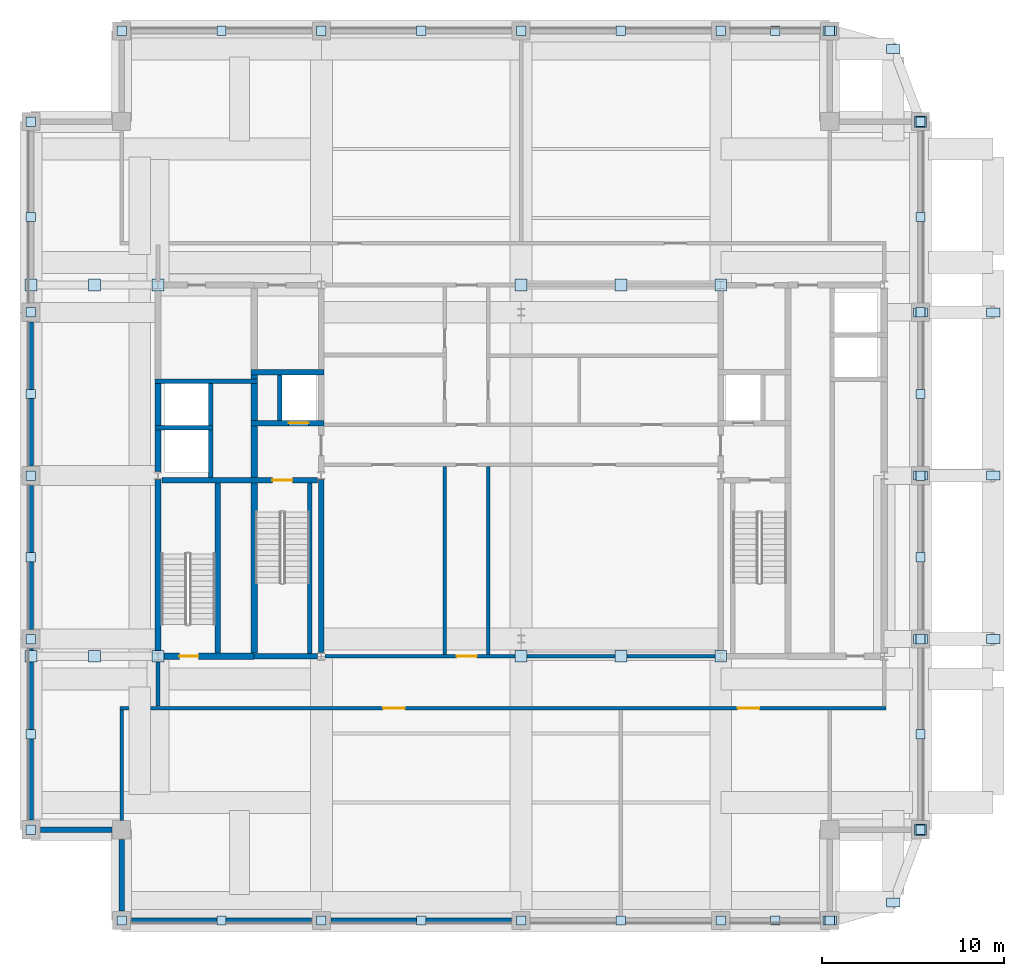
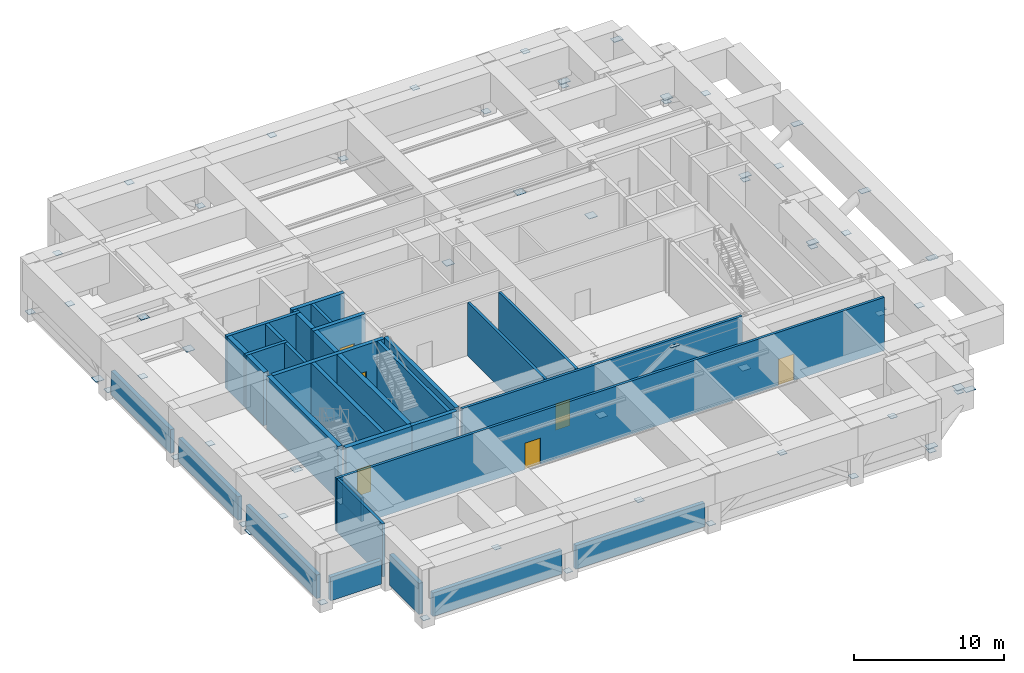
# One storey, part 3 of 9: 60 plates, 33 walls, 6 doors, 6 openings.
"""IFC4 building model written with IfcOpenShell, lengths in metres."""

from ifc_helpers import new_model, si_unit, direction, frame, frame_2d, origin, origin_2d, place, context, subcontext, project, spatial, rectangle, extrude, material, layer, layer_set, type_object, element, fill, save


model = new_model("IFC4")

# Units and contexts
model_context = context("Model", 3, precision=1e-05, world=origin(), true_north=direction((0.0, 1.0)))
body_context = subcontext(model_context, "Body", "Model", "MODEL_VIEW")
ifc_project = project(units=[si_unit("LENGTHUNIT", "METRE"), si_unit("AREAUNIT", "SQUARE_METRE"), si_unit("VOLUMEUNIT", "CUBIC_METRE"), si_unit("PLANEANGLEUNIT", "RADIAN"), si_unit("MASSUNIT", "GRAM", prefix="KILO")], contexts=[model_context])

# Site, building, storey
site_placement = place(None, origin())
site = spatial("IfcSite", under=ifc_project, at=site_placement, CompositionType="ELEMENT")
building_placement = place(site_placement, origin())
building = spatial("IfcBuilding", under=site, at=building_placement, Name="Zulmaris Gate Convention Tower", CompositionType="ELEMENT")
storey_placement = place(building_placement, frame((0.0, 0.0, 222.06005859375)))
storey = spatial("IfcBuildingStorey", under=building, at=storey_placement, Name="L58", CompositionType="ELEMENT", Elevation=222.06005859375)

# Plates
ifc_material_1 = material(Name="Steel S460", Category="steel")
ifc_layer_1 = layer(ifc_material_1, 0.030029296875, Name="Steel S460")
ifc_layer_set_1 = layer_set([ifc_layer_1], Name="Steel S460")
plate_type_1 = type_object("IfcPlateType", Name="NP-CAP-520", PredefinedType="USERDEFINED", material=ifc_layer_set_1)
for number, where, z_axis, x_axis, name in (
    (1, (-22.0, -24.5, -0.01513671875), (0.0, 0.0, 1.0), (1.0, 0.0, 0.0), "L58 Steel Node Plate BELT-L58-01-1-FP"),
    (2, (-16.5, -24.5, 3.81982421875), (0.0, 0.0, 1.0), (1.0, 0.0, 0.0), "L58 Steel Node Plate BELT-L58-01-1-FPB"),
    (3, (-11.0, -24.5, -0.01513671875), (0.0, 0.0, 1.0), (1.0, 0.0, 0.0), "L58 Steel Node Plate BELT-L58-01-2-FPB"),
    (4, (-5.5, -24.5, 3.81982421875), (0.0, 0.0, 1.0), (1.0, 0.0, 0.0), "L58 Steel Node Plate BELT-L58-02-1-FPB"),
    (5, (0.0, -24.5, -0.01513671875), (0.0, 0.0, 1.0), (1.0, 0.0, 0.0), "L58 Steel Node Plate BELT-L58-02-2-FPB"),
    (6, (5.5, -24.5, 3.81982421875), (0.0, 0.0, 1.0), (1.0, 0.0, 0.0), "L58 Steel Node Plate BELT-L58-03-1-FPB"),
    (7, (11.0, -24.5, -0.01513671875), (0.0, 0.0, 1.0), (1.0, 0.0, 0.0), "L58 Steel Node Plate BELT-L58-03-2-FPB"),
    (8, (14.0, -24.5, 3.81982421875), (0.0, 0.0, 1.0), (1.0, 0.0, 0.0), "L58 Steel Node Plate BELT-L58-04-1-FPB"),
    (9, (17.0, -24.5, -0.01513671875), (0.0, 0.0, 1.0), (1.0, 0.0, 0.0), "L58 Steel Node Plate BELT-L58-04-2-FPB"),
    (10, (-22.0, 24.5, -0.01513671875), (0.0, 0.0, 1.0), (1.0, 0.0, 0.0), "L58 Steel Node Plate BELT-L58-05-1-FP"),
    (11, (-16.5, 24.5, 3.81982421875), (0.0, 0.0, 1.0), (1.0, 0.0, 0.0), "L58 Steel Node Plate BELT-L58-05-1-FPB"),
    (12, (-11.0, 24.5, -0.01513671875), (0.0, 0.0, 1.0), (1.0, 0.0, 0.0), "L58 Steel Node Plate BELT-L58-05-2-FPB"),
    (13, (-5.5, 24.5, 3.81982421875), (0.0, 0.0, 1.0), (1.0, 0.0, 0.0), "L58 Steel Node Plate BELT-L58-06-1-FPB"),
    (14, (0.0, 24.5, -0.01513671875), (0.0, 0.0, 1.0), (1.0, 0.0, 0.0), "L58 Steel Node Plate BELT-L58-06-2-FPB"),
    (15, (5.5, 24.5, 3.81982421875), (0.0, 0.0, 1.0), (1.0, 0.0, 0.0), "L58 Steel Node Plate BELT-L58-07-1-FPB"),
    (16, (11.0, 24.5, -0.01513671875), (0.0, 0.0, 1.0), (1.0, 0.0, 0.0), "L58 Steel Node Plate BELT-L58-07-2-FPB"),
    (17, (14.0, 24.5, 3.81982421875), (0.0, 0.0, 1.0), (1.0, 0.0, 0.0), "L58 Steel Node Plate BELT-L58-08-1-FPB"),
    (18, (17.0, 24.5, -0.01513671875), (0.0, 0.0, 1.0), (1.0, 0.0, 0.0), "L58 Steel Node Plate BELT-L58-08-2-FPB"),
    (19, (-27.0, -19.5, -0.01513671875), (0.0, 0.0, 1.0), (1.0, 0.0, 0.0), "L58 Steel Node Plate BELT-L58-09-1-FP"),
    (20, (-27.0, -14.25, 3.81982421875), (0.0, 0.0, 1.0), (1.0, 0.0, 0.0), "L58 Steel Node Plate BELT-L58-09-1-FPB"),
    (21, (-27.0, -9.0, -0.01513671875), (0.0, 0.0, 1.0), (1.0, 0.0, 0.0), "L58 Steel Node Plate BELT-L58-09-2-FPB"),
    (22, (-27.0, -4.5, 3.81982421875), (0.0, 0.0, 1.0), (1.0, 0.0, 0.0), "L58 Steel Node Plate BELT-L58-10-1-FPB"),
    (23, (-27.0, 0.0, -0.01513671875), (0.0, 0.0, 1.0), (1.0, 0.0, 0.0), "L58 Steel Node Plate BELT-L58-10-2-FPB"),
    (24, (-27.0, 4.5, 3.81982421875), (0.0, 0.0, 1.0), (1.0, 0.0, 0.0), "L58 Steel Node Plate BELT-L58-11-1-FPB"),
    (25, (-27.0, 9.0, -0.01513671875), (0.0, 0.0, 1.0), (1.0, 0.0, 0.0), "L58 Steel Node Plate BELT-L58-11-2-FPB"),
    (26, (-27.0, 14.25, 3.81982421875), (0.0, 0.0, 1.0), (1.0, 0.0, 0.0), "L58 Steel Node Plate BELT-L58-12-1-FPB"),
    (27, (-27.0, 19.5, -0.01513671875), (0.0, 0.0, 1.0), (1.0, 0.0, 0.0), "L58 Steel Node Plate BELT-L58-12-2-FPB"),
    (28, (22.0, -19.5, -0.01513671875), (0.0, 0.0, 1.0), (1.0, 0.0, 0.0), "L58 Steel Node Plate BELT-L58-13-1-FP"),
    (29, (22.0, -14.25, 3.81982421875), (0.0, 0.0, 1.0), (1.0, 0.0, 0.0), "L58 Steel Node Plate BELT-L58-13-1-FPB"),
    (30, (22.0, -9.0, -0.01513671875), (0.0, 0.0, 1.0), (1.0, 0.0, 0.0), "L58 Steel Node Plate BELT-L58-13-2-FPB"),
    (31, (22.0, -4.5, 3.81982421875), (0.0, 0.0, 1.0), (1.0, 0.0, 0.0), "L58 Steel Node Plate BELT-L58-14-1-FPB"),
    (32, (22.0, 0.0, -0.01513671875), (0.0, 0.0, 1.0), (1.0, 0.0, 0.0), "L58 Steel Node Plate BELT-L58-14-2-FPB"),
    (33, (22.0, 4.5, 3.81982421875), (0.0, 0.0, 1.0), (1.0, 0.0, 0.0), "L58 Steel Node Plate BELT-L58-15-1-FPB"),
    (34, (22.0, 9.0, -0.01513671875), (0.0, 0.0, 1.0), (1.0, 0.0, 0.0), "L58 Steel Node Plate BELT-L58-15-2-FPB"),
    (35, (22.0, 14.25, 3.81982421875), (0.0, 0.0, 1.0), (1.0, 0.0, 0.0), "L58 Steel Node Plate BELT-L58-16-1-FPB"),
    (36, (22.0, 19.5, -0.01513671875), (0.0, 0.0, 1.0), (1.0, 0.0, 0.0), "L58 Steel Node Plate BELT-L58-16-2-FPB"),
):
    element("IfcPlate", number, at=place(storey_placement, frame(where, z_axis=z_axis, x_axis=x_axis)), inside=storey, type_object=plate_type_1, Name=name, ObjectType="FLANGE PLATE", PredefinedType="USERDEFINED", context=body_context, shape_type="SweptSolid", body=[
        extrude(rectangle(XDim=0.52001953125, YDim=0.52001953125, at=origin_2d()), origin(), (0.0, 0.0, 1.0), 0.030029296875),
    ])
ifc_layer_2 = layer(ifc_material_1, 0.034912109375, Name="Steel S460")
ifc_layer_set_2 = layer_set([ifc_layer_2], Name="Steel S460")
plate_type_2 = type_object("IfcPlateType", Name="NP-GUS-650", PredefinedType="USERDEFINED", material=ifc_layer_set_2)
for number, where, z_axis, x_axis, name in (
    (37, (22.0, -19.5, 0.33251953125), (0.0, 0.0, 1.0), (1.0, 0.0, 0.0), "L58 Steel Node Plate RKR2-L58-EC--23.5-P0"),
    (38, (22.0, 19.5, 0.33251953125), (0.0, 0.0, 1.0), (1.0, 0.0, 0.0), "L58 Steel Node Plate RKR2-L58-EC-+23.5-P0"),
    (39, (-27.0, -9.949951171875, -0.017578125), (0.0, 0.0, 1.0), (1.0, 0.0, 0.0), "L58 Steel Node Plate OT-L58-DG--9.9--27-A-GP0"),
    (40, (-23.5, -9.949951171875, 3.8173828125), (0.0, 0.0, 1.0), (1.0, 0.0, 0.0), "L58 Steel Node Plate OT-L58-DG--9.9--27-A-GP1"),
    (41, (-20.0, -9.949951171875, -0.017578125), (0.0, 0.0, 1.0), (1.0, 0.0, 0.0), "L58 Steel Node Plate OT-L58-DG--9.9--27-B-GP1"),
    (42, (0.0, -9.949951171875, -0.017578125), (0.0, 0.0, 1.0), (1.0, 0.0, 0.0), "L58 Steel Node Plate OT-L58-DG--9.9-+0-A-GP0"),
    (43, (5.5, -9.949951171875, 3.8173828125), (0.0, 0.0, 1.0), (1.0, 0.0, 0.0), "L58 Steel Node Plate OT-L58-DG--9.9-+0-A-GP1"),
    (44, (11.0, -9.949951171875, -0.017578125), (0.0, 0.0, 1.0), (1.0, 0.0, 0.0), "L58 Steel Node Plate OT-L58-DG--9.9-+0-B-GP1"),
    (45, (-27.0, 10.5, -0.017578125), (0.0, 0.0, 1.0), (1.0, 0.0, 0.0), "L58 Steel Node Plate OT-L58-DG-+10.5--27-A-GP0"),
    (46, (-23.5, 10.5, 3.8173828125), (0.0, 0.0, 1.0), (1.0, 0.0, 0.0), "L58 Steel Node Plate OT-L58-DG-+10.5--27-A-GP1"),
    (47, (-20.0, 10.5, -0.017578125), (0.0, 0.0, 1.0), (1.0, 0.0, 0.0), "L58 Steel Node Plate OT-L58-DG-+10.5--27-B-GP1"),
    (48, (0.0, 10.5, -0.017578125), (0.0, 0.0, 1.0), (1.0, 0.0, 0.0), "L58 Steel Node Plate OT-L58-DG-+10.5-+0-A-GP0"),
    (49, (5.5, 10.5, 3.8173828125), (0.0, 0.0, 1.0), (1.0, 0.0, 0.0), "L58 Steel Node Plate OT-L58-DG-+10.5-+0-A-GP1"),
    (50, (11.0, 10.5, -0.017578125), (0.0, 0.0, 1.0), (1.0, 0.0, 0.0), "L58 Steel Node Plate OT-L58-DG-+10.5-+0-B-GP1"),
):
    element("IfcPlate", number, at=place(storey_placement, frame(where, z_axis=z_axis, x_axis=x_axis)), inside=storey, type_object=plate_type_2, Name=name, ObjectType="GUSSET PLATE", PredefinedType="USERDEFINED", context=body_context, shape_type="SweptSolid", body=[
        extrude(rectangle(XDim=0.64990234375, YDim=0.64990234375, at=origin_2d()), origin(), (0.0, 0.0, 1.0), 0.034912109375),
    ])
ifc_layer_3 = layer(ifc_material_1, 0.034912109375, Name="Steel S460")
ifc_layer_set_3 = layer_set([ifc_layer_3], Name="Steel S460")
plate_type_3 = type_object("IfcPlateType", Name="NP-GUS-750", PredefinedType="USERDEFINED", material=ifc_layer_set_3)
for number, where, z_axis, x_axis, name in (
    (51, (22.0, -9.0, 0.33251953125), (0.0, 0.0, 1.0), (1.0, 0.0, 0.0), "L58 Steel Node Plate RKR-L58-E--9.0-P0"),
    (52, (26.0, -9.0, 3.11767578125), (0.0, 0.0, 1.0), (1.0, 0.0, 0.0), "L58 Steel Node Plate RKR-L58-E--9.0-P1"),
    (53, (22.0, 0.0, 0.33251953125), (0.0, 0.0, 1.0), (1.0, 0.0, 0.0), "L58 Steel Node Plate RKR-L58-E-+0.0-P0"),
    (54, (26.0, 0.0, 3.11767578125), (0.0, 0.0, 1.0), (1.0, 0.0, 0.0), "L58 Steel Node Plate RKR-L58-E-+0.0-P1"),
    (55, (22.0, 9.0, 0.33251953125), (0.0, 0.0, 1.0), (1.0, 0.0, 0.0), "L58 Steel Node Plate RKR-L58-E-+9.0-P0"),
    (56, (26.0, 9.0, 3.11767578125), (0.0, 0.0, 1.0), (1.0, 0.0, 0.0), "L58 Steel Node Plate RKR-L58-E-+9.0-P1"),
    (57, (17.0, -24.5, 0.33251953125), (0.0, 0.0, 1.0), (1.0, 0.0, 0.0), "L58 Steel Node Plate RKR-L58-EC--23.5-P0"),
    (58, (20.5, -23.5, 3.11767578125), (0.0, 0.0, 1.0), (1.0, 0.0, 0.0), "L58 Steel Node Plate RKR-L58-EC--23.5-P1"),
    (59, (17.0, 24.5, 0.33251953125), (0.0, 0.0, 1.0), (1.0, 0.0, 0.0), "L58 Steel Node Plate RKR-L58-EC-+23.5-P0"),
    (60, (20.5, 23.5, 3.11767578125), (0.0, 0.0, 1.0), (1.0, 0.0, 0.0), "L58 Steel Node Plate RKR-L58-EC-+23.5-P1"),
):
    element("IfcPlate", number, at=place(storey_placement, frame(where, z_axis=z_axis, x_axis=x_axis)), inside=storey, type_object=plate_type_3, Name=name, ObjectType="GUSSET PLATE", PredefinedType="USERDEFINED", context=body_context, shape_type="SweptSolid", body=[
        extrude(rectangle(XDim=0.75, YDim=0.5, at=origin_2d()), origin(), (0.0, 0.0, 1.0), 0.034912109375),
    ])

# Walls
ifc_material_2 = material(Name="Concrete C50/60", Category="concrete")
ifc_layer_4 = layer(ifc_material_2, 0.25, Name="Concrete C50/60")
ifc_layer_set_4 = layer_set([ifc_layer_4], Name="Concrete C50/60")
wall_type_1 = type_object("IfcWallType", Name="CORE-250", PredefinedType="SOLIDWALL", material=ifc_layer_set_4)
wall_1_placement = place(storey_placement, frame((-20.175048828125, 2.64990234375, 0.0), z_axis=(0.0, 0.0, 1.0), x_axis=(1.0, 0.0, 0.0)))
element("IfcWall", 61, at=wall_1_placement, inside=storey, type_object=wall_type_1, Name="WL-L58-007", PredefinedType="SOLIDWALL", context=body_context, shape_type="SweptSolid", body=[
    extrude(rectangle(XDim=3.199951171875, YDim=0.25, at=frame_2d((1.60009765625, 0.0))), origin(), (0.0, 0.0, 1.0), 4.3349609375),
])
wall_2_placement = place(storey_placement, frame((-20.175048828125, 5.199951171875, 0.0), z_axis=(0.0, 0.0, 1.0), x_axis=(1.0, 0.0, 0.0)))
element("IfcWall", 62, at=wall_2_placement, inside=storey, type_object=wall_type_1, Name="WL-L58-010", PredefinedType="SOLIDWALL", context=body_context, shape_type="SweptSolid", body=[
    extrude(rectangle(XDim=5.650146484375, YDim=0.25, at=frame_2d((2.8251953125, 0.0))), origin(), (0.0, 0.0, 1.0), 4.3349609375),
])
wall_3_placement = place(storey_placement, frame((-17.10009765625, -0.097900390625, 0.0), z_axis=(0.0, 0.0, 1.0), x_axis=(0.0, 1.0, 0.0)))
element("IfcWall", 63, at=wall_3_placement, inside=storey, type_object=wall_type_1, Name="WL-L58-031", PredefinedType="SOLIDWALL", context=body_context, shape_type="SweptSolid", body=[
    extrude(rectangle(XDim=2.620849609375, YDim=0.25, at=frame_2d((1.310546875, 0.0))), origin(), (0.0, 0.0, 1.0), 4.3349609375),
])
wall_4_placement = place(storey_placement, frame((-17.10009765625, 2.777099609375, 0.0), z_axis=(0.0, 0.0, 1.0), x_axis=(0.0, 1.0, 0.0)))
element("IfcWall", 64, at=wall_4_placement, inside=storey, type_object=wall_type_1, Name="WL-L58-032", PredefinedType="SOLIDWALL", context=body_context, shape_type="SweptSolid", body=[
    extrude(rectangle(XDim=2.2958984375, YDim=0.25, at=frame_2d((1.14794921875, 0.0))), origin(), (0.0, 0.0, 1.0), 4.3349609375),
])
wall_5_placement = place(storey_placement, frame((-13.300048828125, 3.052001953125, 0.0), z_axis=(0.0, 0.0, 1.0), x_axis=(0.0, 1.0, 0.0)))
element("IfcWall", 65, at=wall_5_placement, inside=storey, type_object=wall_type_1, Name="WL-L58-039", PredefinedType="SOLIDWALL", context=body_context, shape_type="SweptSolid", body=[
    extrude(rectangle(XDim=2.49609375, YDim=0.25, at=frame_2d((1.248046875, 0.0))), origin(), (0.0, 0.0, 1.0), 4.3349609375),
])
wall_6_placement = place(storey_placement, frame((-11.64990234375, -9.798095703125, 0.0), z_axis=(0.0, 0.0, 1.0), x_axis=(0.0, 1.0, 0.0)))
element("IfcWall", 66, at=wall_6_placement, inside=storey, type_object=wall_type_1, Name="WL-L58-040", PredefinedType="SOLIDWALL", context=body_context, shape_type="SweptSolid", body=[
    extrude(rectangle(XDim=9.39599609375, YDim=0.25, at=frame_2d((4.697998046875, 0.0))), origin(), (0.0, 0.0, 1.0), 4.3349609375),
])
ifc_layer_5 = layer(ifc_material_2, 0.300048828125, Name="Concrete C50/60")
ifc_layer_set_5 = layer_set([ifc_layer_5], Name="Concrete C50/60")
wall_type_2 = type_object("IfcWallType", Name="CORE-300", PredefinedType="SHEAR", material=ifc_layer_set_5)
wall_7_placement = place(storey_placement, frame((-14.699951171875, -9.949951171875, 0.0), z_axis=(0.0, 0.0, 1.0), x_axis=(1.0, 0.0, 0.0)))
element("IfcWall", 67, at=wall_7_placement, inside=storey, type_object=wall_type_2, Name="WL-L58-002", PredefinedType="SHEAR", context=body_context, shape_type="SweptSolid", body=[
    extrude(rectangle(XDim=3.489990234375, YDim=0.300048828125, at=frame_2d((1.7451171875, 0.0))), origin(), (0.0, 0.0, 1.0), 4.3349609375),
])

# Wall, opening, door
wall_8_placement = place(storey_placement, frame((-19.7900390625, -0.25, 0.0), z_axis=(0.0, 0.0, 1.0), x_axis=(1.0, 0.0, 0.0)))
wall_8 = element("IfcWall", 68, at=wall_8_placement, inside=storey, type_object=wall_type_2, Name="WL-L58-005", PredefinedType="SHEAR", context=body_context, shape_type="SweptSolid", body=[
    extrude(rectangle(XDim=8.580078125, YDim=0.300048828125, at=frame_2d((4.2900390625, 0.0))), origin(), (0.0, 0.0, 1.0), 4.3349609375),
])
opening_1_placement = place(wall_8_placement, frame((6.090087890625, 0.0, 0.0)))
opening_1 = element("IfcOpeningElement", 69, at=opening_1_placement, cuts=wall_8, Name="Opening D-08", PredefinedType="OPENING", context=body_context, shape_type="SweptSolid", body=[
    extrude(rectangle(XDim=1.10009765625, YDim=2.14990234375, at=frame_2d((0.550048828125, 1.074951171875))), frame((0.0, 0.16015625, 0.0), z_axis=(0.0, -1.0, 0.0), x_axis=(1.0, 0.0, 0.0)), (0.0, 0.0, 1.0), 0.320068359375),
])
ifc_material_3 = material(Name="Fire-Rated Steel", Category="steel")
door_type_1 = type_object("IfcDoorType", Name="DR-1100-FD", OperationType="NOTDEFINED", PredefinedType="DOOR", material=ifc_material_3)
door_1_placement = place(opening_1_placement, origin())
door_1 = element("IfcDoor", 70, at=door_1_placement, inside=storey, type_object=door_type_1, Name="L58 Exit Stair ST-1 Door 01", OperationType="SINGLE_SWING_LEFT", OverallHeight=2.14990234375, OverallWidth=1.10009765625, PredefinedType="DOOR", context=body_context, shape_type="SweptSolid", body=[
    extrude(rectangle(XDim=1.10009765625, YDim=2.14990234375, at=frame_2d((0.550048828125, 1.074951171875))), frame((0.0, 0.02490234375, 0.0), z_axis=(0.0, -1.0, 0.0), x_axis=(1.0, 0.0, 0.0)), (0.0, 0.0, 1.0), 0.050048828125),
])
fill(opening_1, door_1)

wall_9_placement = place(storey_placement, frame((-14.875, 2.89990234375, 0.0), z_axis=(0.0, 0.0, 1.0), x_axis=(1.0, 0.0, 0.0)))
wall_9 = element("IfcWall", 71, at=wall_9_placement, inside=storey, type_object=wall_type_2, Name="WL-L58-008", PredefinedType="SHEAR", context=body_context, shape_type="SweptSolid", body=[
    extrude(rectangle(XDim=4.02490234375, YDim=0.300048828125, at=frame_2d((2.012451171875, 0.0))), origin(), (0.0, 0.0, 1.0), 4.3349609375),
])
opening_2_placement = place(wall_9_placement, frame((2.074951171875, 0.0, 0.0)))
opening_2 = element("IfcOpeningElement", 72, at=opening_2_placement, cuts=wall_9, Name="Opening D-06", PredefinedType="OPENING", context=body_context, shape_type="SweptSolid", body=[
    extrude(rectangle(XDim=1.10009765625, YDim=2.199951171875, at=frame_2d((0.550048828125, 1.10009765625))), frame((0.0, 0.16015625, 0.0), z_axis=(0.0, -1.0, 0.0), x_axis=(1.0, 0.0, 0.0)), (0.0, 0.0, 1.0), 0.320068359375),
])
ifc_material_4 = material(Name="Brushed Stainless Steel", Category="steel")
door_type_2 = type_object("IfcDoorType", Name="LD-1100", OperationType="NOTDEFINED", PredefinedType="DOOR", material=ifc_material_4)
door_2_placement = place(opening_2_placement, origin())
door_2 = element("IfcDoor", 73, at=door_2_placement, inside=storey, type_object=door_type_2, Name="L58 Lift Landing Door LF-01 03", OperationType="SLIDING_TO_LEFT", OverallHeight=2.199951171875, OverallWidth=1.10009765625, PredefinedType="DOOR", context=body_context, shape_type="SweptSolid", body=[
    extrude(rectangle(XDim=1.10009765625, YDim=2.199951171875, at=frame_2d((0.550048828125, 1.10009765625))), frame((0.0, 0.02490234375, 0.0), z_axis=(0.0, -1.0, 0.0), x_axis=(1.0, 0.0, 0.0)), (0.0, 0.0, 1.0), 0.050048828125),
])
fill(opening_2, door_2)

# Walls
wall_10_placement = place(storey_placement, frame((-14.875, 5.699951171875, 0.0), z_axis=(0.0, 0.0, 1.0), x_axis=(1.0, 0.0, 0.0)))
element("IfcWall", 74, at=wall_10_placement, inside=storey, type_object=wall_type_2, Name="WL-L58-012", PredefinedType="SHEAR", context=body_context, shape_type="SweptSolid", body=[
    extrude(rectangle(XDim=4.02490234375, YDim=0.300048828125, at=frame_2d((2.012451171875, 0.0))), origin(), (0.0, 0.0, 1.0), 4.3349609375),
])
wall_11_placement = place(storey_placement, frame((-16.699951171875, -9.77294921875, 0.0), z_axis=(0.0, 0.0, 1.0), x_axis=(0.0, 1.0, 0.0)))
element("IfcWall", 75, at=wall_11_placement, inside=storey, type_object=wall_type_2, Name="WL-L58-033", PredefinedType="SHEAR", context=body_context, shape_type="SweptSolid", body=[
    extrude(rectangle(XDim=9.370849609375, YDim=0.300048828125, at=frame_2d((4.685546875, 0.0))), origin(), (0.0, 0.0, 1.0), 4.3349609375),
])
wall_12_placement = place(storey_placement, frame((-11.0, -9.728515625, 0.0), z_axis=(0.0, 0.0, 1.0), x_axis=(0.0, 1.0, 0.0)))
element("IfcWall", 76, at=wall_12_placement, inside=storey, type_object=wall_type_2, Name="WL-L58-041", PredefinedType="SHEAR", context=body_context, shape_type="SweptSolid", body=[
    extrude(rectangle(XDim=9.507080078125, YDim=0.300048828125, at=frame_2d((4.75341796875, 0.0))), origin(), (0.0, 0.0, 1.0), 4.3349609375),
])

# Wall, opening, door
ifc_material_5 = material(Name="Concrete C55/67", Category="concrete")
ifc_layer_6 = layer(ifc_material_5, 0.35009765625, Name="Concrete C55/67")
ifc_layer_set_6 = layer_set([ifc_layer_6], Name="Concrete C55/67")
wall_type_3 = type_object("IfcWallType", Name="CORE-350", PredefinedType="SHEAR", material=ifc_layer_set_6)
wall_13_placement = place(storey_placement, frame((-19.7900390625, -9.949951171875, 0.0), z_axis=(0.0, 0.0, 1.0), x_axis=(1.0, 0.0, 0.0)))
wall_13 = element("IfcWall", 77, at=wall_13_placement, inside=storey, type_object=wall_type_3, Name="WL-L58-001", PredefinedType="SHEAR", context=body_context, shape_type="SweptSolid", body=[
    extrude(rectangle(XDim=5.090087890625, YDim=0.35009765625, at=frame_2d((2.544921875, 0.0))), origin(), (0.0, 0.0, 1.0), 4.3349609375),
])
opening_3_placement = place(wall_13_placement, frame((0.965087890625, 0.0, 0.0)))
opening_3 = element("IfcOpeningElement", 78, at=opening_3_placement, cuts=wall_13, Name="Opening D-09", PredefinedType="OPENING", context=body_context, shape_type="SweptSolid", body=[
    extrude(rectangle(XDim=1.050048828125, YDim=2.14990234375, at=frame_2d((0.52490234375, 1.074951171875))), frame((0.0, 0.18505859375, 0.0), z_axis=(0.0, -1.0, 0.0), x_axis=(1.0, 0.0, 0.0)), (0.0, 0.0, 1.0), 0.3701171875),
])
door_type_3 = type_object("IfcDoorType", Name="DR-1050-FD", OperationType="NOTDEFINED", PredefinedType="DOOR", material=ifc_material_3)
door_3_placement = place(opening_3_placement, origin())
door_3 = element("IfcDoor", 79, at=door_3_placement, inside=storey, type_object=door_type_3, Name="L58 Exit Stair ST-3 Door 09", OperationType="SINGLE_SWING_LEFT", OverallHeight=2.14990234375, OverallWidth=1.050048828125, PredefinedType="DOOR", context=body_context, shape_type="SweptSolid", body=[
    extrude(rectangle(XDim=1.050048828125, YDim=2.14990234375, at=frame_2d((0.52490234375, 1.074951171875))), frame((0.0, 0.02490234375, 0.0), z_axis=(0.0, -1.0, 0.0), x_axis=(1.0, 0.0, 0.0)), (0.0, 0.0, 1.0), 0.050048828125),
])
fill(opening_3, door_3)

# Walls
wall_14_placement = place(storey_placement, frame((-20.0, -9.728515625, 0.0), z_axis=(0.0, 0.0, 1.0), x_axis=(0.0, 1.0, 0.0)))
element("IfcWall", 80, at=wall_14_placement, inside=storey, type_object=wall_type_3, Name="WL-L58-027", PredefinedType="SHEAR", context=body_context, shape_type="SweptSolid", body=[
    extrude(rectangle(XDim=9.507080078125, YDim=0.35009765625, at=frame_2d((4.75341796875, 0.0))), origin(), (0.0, 0.0, 1.0), 4.3349609375),
])
wall_15_placement = place(storey_placement, frame((-20.0, 0.221435546875, 0.0), z_axis=(0.0, 0.0, 1.0), x_axis=(0.0, 1.0, 0.0)))
element("IfcWall", 81, at=wall_15_placement, inside=storey, type_object=wall_type_3, Name="WL-L58-028", PredefinedType="SHEAR", context=body_context, shape_type="SweptSolid", body=[
    extrude(rectangle(XDim=2.301513671875, YDim=0.35009765625, at=frame_2d((1.15087890625, 0.0))), origin(), (0.0, 0.0, 1.0), 4.3349609375),
])
wall_16_placement = place(storey_placement, frame((-20.0, 2.777099609375, 0.0), z_axis=(0.0, 0.0, 1.0), x_axis=(0.0, 1.0, 0.0)))
element("IfcWall", 82, at=wall_16_placement, inside=storey, type_object=wall_type_3, Name="WL-L58-029", PredefinedType="SHEAR", context=body_context, shape_type="SweptSolid", body=[
    extrude(rectangle(XDim=2.2958984375, YDim=0.35009765625, at=frame_2d((1.14794921875, 0.0))), origin(), (0.0, 0.0, 1.0), 4.3349609375),
])
wall_17_placement = place(storey_placement, frame((-14.699951171875, -9.77294921875, 0.0), z_axis=(0.0, 0.0, 1.0), x_axis=(0.0, 1.0, 0.0)))
element("IfcWall", 83, at=wall_17_placement, inside=storey, type_object=wall_type_3, Name="WL-L58-034", PredefinedType="SHEAR", context=body_context, shape_type="SweptSolid", body=[
    extrude(rectangle(XDim=9.370849609375, YDim=0.35009765625, at=frame_2d((4.685546875, 0.0))), origin(), (0.0, 0.0, 1.0), 4.3349609375),
])
wall_18_placement = place(storey_placement, frame((-14.699951171875, -0.097900390625, 0.0), z_axis=(0.0, 0.0, 1.0), x_axis=(0.0, 1.0, 0.0)))
element("IfcWall", 84, at=wall_18_placement, inside=storey, type_object=wall_type_3, Name="WL-L58-035", PredefinedType="SHEAR", context=body_context, shape_type="SweptSolid", body=[
    extrude(rectangle(XDim=2.845947265625, YDim=0.35009765625, at=frame_2d((1.4228515625, 0.0))), origin(), (0.0, 0.0, 1.0), 4.3349609375),
])
wall_19_placement = place(storey_placement, frame((-14.699951171875, 3.052001953125, 0.0), z_axis=(0.0, 0.0, 1.0), x_axis=(0.0, 1.0, 0.0)))
element("IfcWall", 85, at=wall_19_placement, inside=storey, type_object=wall_type_3, Name="WL-L58-036", PredefinedType="SHEAR", context=body_context, shape_type="SweptSolid", body=[
    extrude(rectangle(XDim=2.02099609375, YDim=0.35009765625, at=frame_2d((1.010498046875, 0.0))), origin(), (0.0, 0.0, 1.0), 4.3349609375),
])
wall_20_placement = place(storey_placement, frame((-14.699951171875, 5.326904296875, 0.0), z_axis=(0.0, 0.0, 1.0), x_axis=(0.0, 1.0, 0.0)))
element("IfcWall", 86, at=wall_20_placement, inside=storey, type_object=wall_type_3, Name="WL-L58-037", PredefinedType="SHEAR", context=body_context, shape_type="SweptSolid", body=[
    extrude(rectangle(XDim=0.22119140625, YDim=0.35009765625, at=frame_2d((0.110595703125, 0.0))), origin(), (0.0, 0.0, 1.0), 4.3349609375),
])

# Wall, openings, doors
ifc_material_6 = material(Name="Autoclaved Aerated Concrete Block and Plasterboard", Category="concrete")
ifc_layer_7 = layer(ifc_material_6, 0.199951171875, Name="Autoclaved Aerated Concrete Block and Plasterboard")
ifc_layer_set_7 = layer_set([ifc_layer_7], Name="Autoclaved Aerated Concrete Block and Plasterboard")
wall_type_4 = type_object("IfcWallType", Name="PART-200", PredefinedType="PARTITIONING", material=ifc_layer_set_7)
wall_21_placement = place(storey_placement, frame((-22.10009765625, -12.800048828125, 0.0), z_axis=(0.0, 0.0, 1.0), x_axis=(1.0, 0.0, 0.0)))
wall_21 = element("IfcWall", 87, at=wall_21_placement, inside=storey, type_object=wall_type_4, Name="WL-L58-019", PredefinedType="PARTITIONING", context=body_context, shape_type="SweptSolid", body=[
    extrude(rectangle(XDim=42.2001953125, YDim=0.199951171875, at=frame_2d((21.10009765625, 0.0))), origin(), (0.0, 0.0, 1.0), 4.3349609375),
])
opening_4_placement = place(wall_21_placement, frame((14.5, 0.0, 0.0)))
opening_4 = element("IfcOpeningElement", 88, at=opening_4_placement, cuts=wall_21, Name="Opening D-13", PredefinedType="OPENING", context=body_context, shape_type="SweptSolid", body=[
    extrude(rectangle(XDim=1.199951171875, YDim=2.14990234375, at=frame_2d((0.60009765625, 1.074951171875))), frame((0.0, 0.10986328125, 0.0), z_axis=(0.0, -1.0, 0.0), x_axis=(1.0, 0.0, 0.0)), (0.0, 0.0, 1.0), 0.219970703125),
])
opening_5_placement = place(wall_21_placement, frame((34.030029296875, 0.0, 0.0)))
opening_5 = element("IfcOpeningElement", 89, at=opening_5_placement, cuts=wall_21, Name="Opening D-13", PredefinedType="OPENING", context=body_context, shape_type="SweptSolid", body=[
    extrude(rectangle(XDim=1.199951171875, YDim=2.14990234375, at=frame_2d((0.60009765625, 1.074951171875))), frame((0.0, 0.10986328125, 0.0), z_axis=(0.0, -1.0, 0.0), x_axis=(1.0, 0.0, 0.0)), (0.0, 0.0, 1.0), 0.219970703125),
])
door_type_4 = type_object("IfcDoorType", Name="DR-1200-FD", OperationType="NOTDEFINED", PredefinedType="DOOR", material=ifc_material_3)
door_4_placement = place(opening_4_placement, origin())
door_4 = element("IfcDoor", 90, at=door_4_placement, inside=storey, type_object=door_type_4, Name="L58 Break Tank Plant Door 21", OperationType="SINGLE_SWING_LEFT", OverallHeight=2.14990234375, OverallWidth=1.199951171875, PredefinedType="DOOR", context=body_context, shape_type="SweptSolid", body=[
    extrude(rectangle(XDim=1.199951171875, YDim=2.14990234375, at=frame_2d((0.60009765625, 1.074951171875))), frame((0.0, 0.02490234375, 0.0), z_axis=(0.0, -1.0, 0.0), x_axis=(1.0, 0.0, 0.0)), (0.0, 0.0, 1.0), 0.050048828125),
])
fill(opening_4, door_4)
door_5_placement = place(opening_5_placement, origin())
door_5 = element("IfcDoor", 91, at=door_5_placement, inside=storey, type_object=door_type_4, Name="L58 Booster Pump Plant Door 22", OperationType="SINGLE_SWING_RIGHT", OverallHeight=2.14990234375, OverallWidth=1.199951171875, PredefinedType="DOOR", context=body_context, shape_type="SweptSolid", body=[
    extrude(rectangle(XDim=1.199951171875, YDim=2.14990234375, at=frame_2d((0.60009765625, 1.074951171875))), frame((0.0, 0.02490234375, 0.0), z_axis=(0.0, -1.0, 0.0), x_axis=(1.0, 0.0, 0.0)), (0.0, 0.0, 1.0), 0.050048828125),
])
fill(opening_5, door_5)

# Wall, opening, door
wall_22_placement = place(storey_placement, frame((-10.7880859375, -9.949951171875, 0.0), z_axis=(0.0, 0.0, 1.0), x_axis=(1.0, 0.0, 0.0)))
wall_22 = element("IfcWall", 92, at=wall_22_placement, inside=storey, type_object=wall_type_4, Name="WL-L58-020", PredefinedType="PARTITIONING", context=body_context, shape_type="SweptSolid", body=[
    extrude(rectangle(XDim=21.576171875, YDim=0.199951171875, at=frame_2d((10.7880859375, 0.0))), origin(), (0.0, 0.0, 1.0), 4.3349609375),
])
opening_6_placement = place(wall_22_placement, frame((7.238037109375, 0.0, 0.0)))
opening_6 = element("IfcOpeningElement", 93, at=opening_6_placement, cuts=wall_22, Name="Opening D-08", PredefinedType="OPENING", context=body_context, shape_type="SweptSolid", body=[
    extrude(rectangle(XDim=1.10009765625, YDim=2.14990234375, at=frame_2d((0.550048828125, 1.074951171875))), frame((0.0, 0.10986328125, 0.0), z_axis=(0.0, -1.0, 0.0), x_axis=(1.0, 0.0, 0.0)), (0.0, 0.0, 1.0), 0.219970703125),
])
door_6_placement = place(opening_6_placement, origin())
door_6 = element("IfcDoor", 94, at=door_6_placement, inside=storey, type_object=door_type_1, Name="L58 South Cross Corridor Link Door 16", OperationType="SINGLE_SWING_RIGHT", OverallHeight=2.14990234375, OverallWidth=1.10009765625, PredefinedType="DOOR", context=body_context, shape_type="SweptSolid", body=[
    extrude(rectangle(XDim=1.10009765625, YDim=2.14990234375, at=frame_2d((0.550048828125, 1.074951171875))), frame((0.0, 0.02490234375, 0.0), z_axis=(0.0, -1.0, 0.0), x_axis=(1.0, 0.0, 0.0)), (0.0, 0.0, 1.0), 0.050048828125),
])
fill(opening_6, door_6)

# Walls
wall_23_placement = place(storey_placement, frame((-22.0, -18.993896484375, 0.0), z_axis=(0.0, 0.0, 1.0), x_axis=(0.0, 1.0, 0.0)))
element("IfcWall", 95, at=wall_23_placement, inside=storey, type_object=wall_type_4, Name="WL-L58-061", PredefinedType="PARTITIONING", context=body_context, shape_type="SweptSolid", body=[
    extrude(rectangle(XDim=6.0908203125, YDim=0.199951171875, at=frame_2d((3.04541015625, 0.0))), origin(), (0.0, 0.0, 1.0), 4.3349609375),
])
wall_24_placement = place(storey_placement, frame((-20.0, -12.697021484375, 0.0), z_axis=(0.0, 0.0, 1.0), x_axis=(0.0, 1.0, 0.0)))
element("IfcWall", 96, at=wall_24_placement, inside=storey, type_object=wall_type_4, Name="WL-L58-063", PredefinedType="PARTITIONING", context=body_context, shape_type="SweptSolid", body=[
    extrude(rectangle(XDim=2.5234375, YDim=0.199951171875, at=frame_2d((1.26171875, 0.0))), origin(), (0.0, 0.0, 1.0), 1.927001953125),
])
for number, where, z_axis, x_axis, name in (
    (97, (-4.199951171875, -9.846923828125, 0.0), (0.0, 0.0, 1.0), (0.0, 1.0, 0.0), "WL-L58-065"),
    (98, (-1.800048828125, -9.846923828125, 0.0), (0.0, 0.0, 1.0), (0.0, 1.0, 0.0), "WL-L58-068"),
):
    element("IfcWall", number, at=place(storey_placement, frame(where, z_axis=z_axis, x_axis=x_axis)), inside=storey, type_object=wall_type_4, Name=name, PredefinedType="PARTITIONING", context=body_context, shape_type="SweptSolid", body=[
        extrude(rectangle(XDim=10.343994140625, YDim=0.199951171875, at=frame_2d((5.171875, 0.0))), origin(), (0.0, 0.0, 1.0), 4.3349609375),
    ])
ifc_material_7 = material(Name="Precast concrete C40/50", Category="concrete")
ifc_layer_8 = layer(ifc_material_7, 0.300048828125, Name="Precast concrete C40/50")
ifc_layer_set_8 = layer_set([ifc_layer_8], Name="Precast concrete C40/50")
wall_type_5 = type_object("IfcWallType", Name="PRECAST-PIER-300", PredefinedType="STANDARD", material=ifc_layer_set_8)
wall_25_placement = place(storey_placement, frame((-26.469970703125, -19.5, 0.0), z_axis=(0.0, 0.0, 1.0), x_axis=(1.0, 0.0, 0.0)))
element("IfcWall", 99, at=wall_25_placement, inside=storey, type_object=wall_type_5, Name="EW-L58-NOTCH-SW1_0", PredefinedType="STANDARD", context=body_context, shape_type="SweptSolid", body=[
    extrude(rectangle(XDim=3.93994140625, YDim=0.300048828125, at=frame_2d((1.969970703125, 0.0))), origin(), (0.0, 0.0, 1.0), 1.927001953125),
])
wall_26_placement = place(storey_placement, frame((-22.0, -20.030029296875, 0.0), z_axis=(0.0, 0.0, 1.0), x_axis=(0.0, -1.0, 0.0)))
element("IfcWall", 100, at=wall_26_placement, inside=storey, type_object=wall_type_5, Name="EW-L58-NOTCH-SW2_0", PredefinedType="STANDARD", context=body_context, shape_type="SweptSolid", body=[
    extrude(rectangle(XDim=3.93994140625, YDim=0.300048828125, at=frame_2d((1.969970703125, 0.0))), origin(), (0.0, 0.0, 1.0), 2.527099609375),
])
for number, where, z_axis, x_axis, name in (
    (101, (-21.469970703125, -24.5, 0.0), (0.0, 0.0, 1.0), (1.0, 0.0, 0.0), "EW-L58-S-0_0"),
    (102, (-10.469970703125, -24.5, 0.0), (0.0, 0.0, 1.0), (1.0, 0.0, 0.0), "EW-L58-S-1_0"),
):
    element("IfcWall", number, at=place(storey_placement, frame(where, z_axis=z_axis, x_axis=x_axis)), inside=storey, type_object=wall_type_5, Name=name, PredefinedType="STANDARD", context=body_context, shape_type="SweptSolid", body=[
        extrude(rectangle(XDim=9.93994140625, YDim=0.300048828125, at=frame_2d((4.969970703125, 0.0))), origin(), (0.0, 0.0, 1.0), 1.927001953125),
    ])
wall_27_placement = place(storey_placement, frame((-27.0, -9.530029296875, 0.0), z_axis=(0.0, 0.0, 1.0), x_axis=(0.0, -1.0, 0.0)))
element("IfcWall", 103, at=wall_27_placement, inside=storey, type_object=wall_type_5, Name="EW-L58-W-0_0", PredefinedType="STANDARD", context=body_context, shape_type="SweptSolid", body=[
    extrude(rectangle(XDim=9.43994140625, YDim=0.300048828125, at=frame_2d((4.719970703125, 0.0))), origin(), (0.0, 0.0, 1.0), 1.927001953125),
])
for number, where, z_axis, x_axis, name in (
    (104, (-27.0, -0.530029296875, 0.0), (0.0, 0.0, 1.0), (0.0, -1.0, 0.0), "EW-L58-W-1_0"),
    (105, (-27.0, 8.469970703125, 0.0), (0.0, 0.0, 1.0), (0.0, -1.0, 0.0), "EW-L58-W-2_0"),
):
    element("IfcWall", number, at=place(storey_placement, frame(where, z_axis=z_axis, x_axis=x_axis)), inside=storey, type_object=wall_type_5, Name=name, PredefinedType="STANDARD", context=body_context, shape_type="SweptSolid", body=[
        extrude(rectangle(XDim=7.93994140625, YDim=0.300048828125, at=frame_2d((3.969970703125, 0.0))), origin(), (0.0, 0.0, 1.0), 1.927001953125),
    ])

save(model, "model.ifc")
